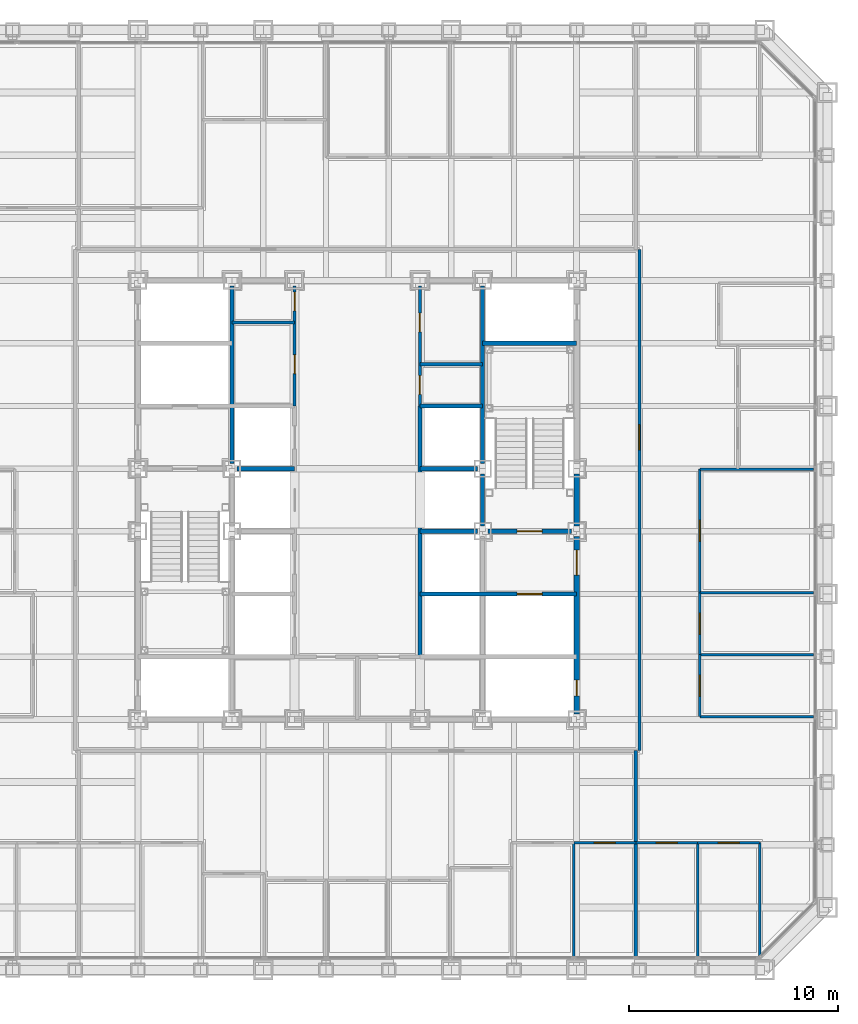
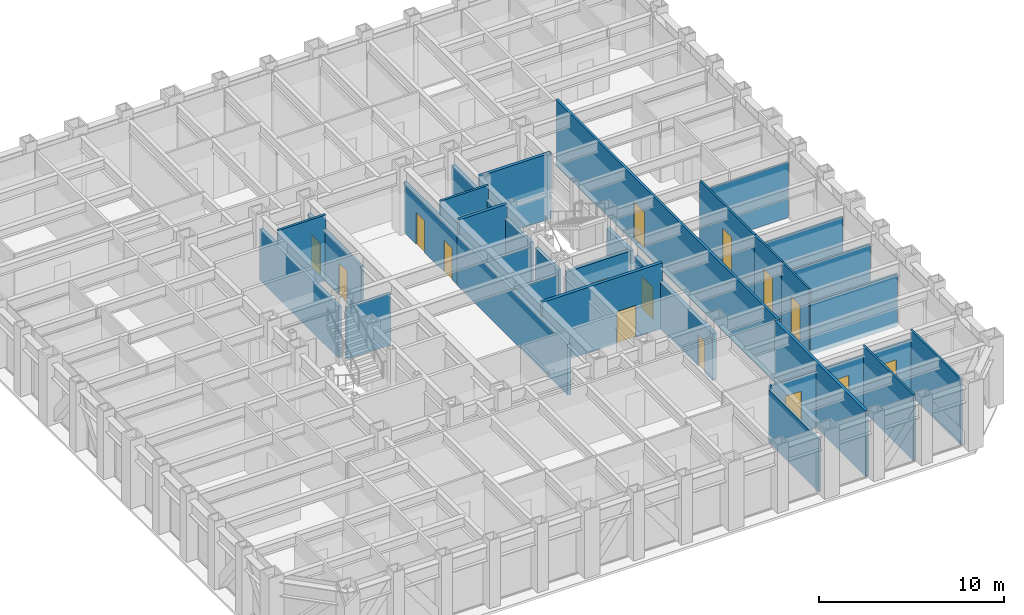
# One storey, part 10 of 16: 32 walls, 15 doors, 15 openings.
"""IFC4 building model written with IfcOpenShell, lengths in metres."""

from ifc_helpers import new_model, si_unit, direction, frame, frame_2d, origin, place, context, subcontext, project, spatial, rectangle, extrude, material, layer, layer_set, type_object, element, fill, save


model = new_model("IFC4")

# Units and contexts
model_context = context("Model", 3, precision=1e-05, world=origin(), true_north=direction((0.0, 1.0)))
body_context = subcontext(model_context, "Body", "Model", "MODEL_VIEW")
ifc_project = project(units=[si_unit("LENGTHUNIT", "METRE"), si_unit("AREAUNIT", "SQUARE_METRE"), si_unit("VOLUMEUNIT", "CUBIC_METRE"), si_unit("PLANEANGLEUNIT", "RADIAN"), si_unit("MASSUNIT", "GRAM", prefix="KILO")], contexts=[model_context])

# Site, building, storey
site_placement = place(None, origin())
site = spatial("IfcSite", under=ifc_project, at=site_placement, CompositionType="ELEMENT")
building_placement = place(site_placement, origin())
building = spatial("IfcBuilding", under=site, at=building_placement, Name="Chuquiago Exchange Tower", CompositionType="ELEMENT")
storey_placement = place(building_placement, frame((0.0, 0.0, 82.800048828125)))
storey = spatial("IfcBuildingStorey", under=building, at=storey_placement, Name="L17", CompositionType="ELEMENT", Elevation=82.800048828125)

# Wall, openings, doors
ifc_material_1 = material(Name="Concrete masonry, fully grouted", Category="masonry")
ifc_layer_1 = layer(ifc_material_1, 0.25)
ifc_layer_set_1 = layer_set([ifc_layer_1], Name="W1 core wall 250")
wall_type_1 = type_object("IfcWallType", Name="W1 core wall 250", PredefinedType="SOLIDWALL", material=ifc_layer_set_1)
wall_1_placement = place(storey_placement, frame((33.0, 12.25, 0.0), z_axis=(0.0, 0.0, 1.0), x_axis=(0.0, 1.0, 0.0)))
wall_1 = element("IfcWall", 1, at=wall_1_placement, inside=storey, type_object=wall_type_1, Name="CW-L17-25-0", PredefinedType="SOLIDWALL", context=body_context, shape_type="SweptSolid", body=[
    extrude(rectangle(XDim=8.5, YDim=0.25, at=frame_2d((4.25, 0.0))), origin(), (0.0, 0.0, 1.0), 3.11279296875),
])
opening_1_placement = place(wall_1_placement, frame((6.64990234375, 0.0, 0.0)))
opening_1 = element("IfcOpeningElement", 2, at=opening_1_placement, cuts=wall_1, Name="Opening L17-004", PredefinedType="OPENING", context=body_context, shape_type="SweptSolid", body=[
    extrude(rectangle(XDim=1.199951171875, YDim=2.10009765625, at=frame_2d((0.60009765625, 1.050048828125))), frame((0.0, 0.135009765625, 0.0), z_axis=(0.0, -1.0, 0.0), x_axis=(1.0, 0.0, 0.0)), (0.0, 0.0, 1.0), 0.27001953125),
])
opening_2_placement = place(wall_1_placement, frame((0.875, 0.0, 0.0)))
opening_2 = element("IfcOpeningElement", 3, at=opening_2_placement, cuts=wall_1, Name="Opening L17-009", PredefinedType="OPENING", context=body_context, shape_type="SweptSolid", body=[
    extrude(rectangle(XDim=0.75, YDim=2.10009765625, at=frame_2d((0.375, 1.050048828125))), frame((0.0, 0.135009765625, 0.0), z_axis=(0.0, -1.0, 0.0), x_axis=(1.0, 0.0, 0.0)), (0.0, 0.0, 1.0), 0.27001953125),
])
ifc_material_2 = material(Name="Steel door, painted", Category="steel")
door_type_1 = type_object("IfcDoorType", Name="D5 firefighting lobby door 1200x2100", OperationType="SINGLE_SWING_LEFT", PredefinedType="DOOR", material=ifc_material_2)
door_1_placement = place(opening_1_placement, origin())
door_1 = element("IfcDoor", 4, at=door_1_placement, inside=storey, type_object=door_type_1, Name="Firefighting lobby 2 door", OperationType="SINGLE_SWING_RIGHT", OverallHeight=2.10009765625, OverallWidth=1.199951171875, PredefinedType="DOOR", context=body_context, shape_type="SweptSolid", body=[
    extrude(rectangle(XDim=1.199951171875, YDim=2.10009765625, at=frame_2d((0.60009765625, 1.050048828125))), frame((0.0, 0.02490234375, 0.0), z_axis=(0.0, -1.0, 0.0), x_axis=(1.0, 0.0, 0.0)), (0.0, 0.0, 1.0), 0.050048828125),
])
fill(opening_1, door_1)
ifc_material_3 = material(Name="Steel door, painted", Category="steel")
door_type_2 = type_object("IfcDoorType", Name="D6 riser access door 750x2100", OperationType="SINGLE_SWING_LEFT", PredefinedType="DOOR", material=ifc_material_3)
door_2_placement = place(opening_2_placement, frame((0.75, 0.0, 0.0), z_axis=(0.0, 0.0, 1.0), x_axis=(-1.0, 0.0, 0.0)))
door_2 = element("IfcDoor", 5, at=door_2_placement, inside=storey, type_object=door_type_2, Name="Riser RE1 door", OperationType="SINGLE_SWING_RIGHT", OverallHeight=2.10009765625, OverallWidth=0.75, PredefinedType="DOOR", context=body_context, shape_type="SweptSolid", body=[
    extrude(rectangle(XDim=0.75, YDim=2.10009765625, at=frame_2d((0.375, 1.050048828125))), frame((0.0, 0.02490234375, 0.0), z_axis=(0.0, -1.0, 0.0), x_axis=(1.0, 0.0, 0.0)), (0.0, 0.0, 1.0), 0.050048828125),
])
fill(opening_2, door_2)

# Wall
wall_2_placement = place(storey_placement, frame((33.0, 21.25, 0.0), z_axis=(0.0, 0.0, 1.0), x_axis=(0.0, 1.0, 0.0)))
element("IfcWall", 6, at=wall_2_placement, inside=storey, type_object=wall_type_1, Name="CW-L17-25-1", PredefinedType="SOLIDWALL", context=body_context, shape_type="SweptSolid", body=[
    extrude(rectangle(XDim=2.5, YDim=0.25, at=frame_2d((1.25, 0.0))), origin(), (0.0, 0.0, 1.0), 3.11279296875),
])

# Wall, opening, door
ifc_material_4 = material(Name="Gypsum board on steel studs, acoustic insulation", Category="steel")
ifc_layer_2 = layer(ifc_material_4, 0.14990234375)
ifc_layer_set_2 = layer_set([ifc_layer_2], Name="W11 corridor wall 150")
wall_type_2 = type_object("IfcWallType", Name="W11 corridor wall 150", PredefinedType="PARTITIONING", material=ifc_layer_set_2)
wall_3_placement = place(storey_placement, frame((36.0, 10.5, -0.300048828125), z_axis=(0.0, 0.0, 1.0), x_axis=(0.0, 1.0, 0.0)))
wall_3 = element("IfcWall", 7, at=wall_3_placement, inside=storey, type_object=wall_type_2, Name="PW-L17-CE", PredefinedType="PARTITIONING", context=body_context, shape_type="SweptSolid", body=[
    extrude(rectangle(XDim=24.0, YDim=0.14990234375, at=frame_2d((12.0, 0.0))), origin(), (0.0, 0.0, 1.0), 4.340087890625),
])
opening_3_placement = place(wall_3_placement, frame((14.39990234375, 0.0, 0.300048828125)))
opening_3 = element("IfcOpeningElement", 8, at=opening_3_placement, cuts=wall_3, Name="Opening L17-059", PredefinedType="OPENING", context=body_context, shape_type="SweptSolid", body=[
    extrude(rectangle(XDim=1.199951171875, YDim=2.39990234375, at=frame_2d((0.60009765625, 1.199951171875))), frame((0.0, 0.0849609375, 0.0), z_axis=(0.0, -1.0, 0.0), x_axis=(1.0, 0.0, 0.0)), (0.0, 0.0, 1.0), 0.169921875),
])
ifc_material_5 = material(Name="Timber door, laminate faced", Category="wood")
door_type_3 = type_object("IfcDoorType", Name="D13 suite entrance door 1200x2400", OperationType="SINGLE_SWING_LEFT", PredefinedType="DOOR", material=ifc_material_5)
door_3_placement = place(opening_3_placement, frame((1.199951171875, 0.0, 0.0), z_axis=(0.0, 0.0, 1.0), x_axis=(-1.0, 0.0, 0.0)))
door_3 = element("IfcDoor", 9, at=door_3_placement, inside=storey, type_object=door_type_3, Name="East suite entrance door", OperationType="SINGLE_SWING_LEFT", OverallHeight=2.39990234375, OverallWidth=1.199951171875, PredefinedType="DOOR", context=body_context, shape_type="SweptSolid", body=[
    extrude(rectangle(XDim=1.199951171875, YDim=2.39990234375, at=frame_2d((0.60009765625, 1.199951171875))), frame((0.0, 0.02490234375, 0.0), z_axis=(0.0, -1.0, 0.0), x_axis=(1.0, 0.0, 0.0)), (0.0, 0.0, 1.0), 0.050048828125),
])
fill(opening_3, door_3)

# Walls
ifc_material_6 = material(Name="Gypsum board on twin steel studs, acoustic insulation", Category="steel")
ifc_layer_3 = layer(ifc_material_6, 0.175048828125)
ifc_layer_set_3 = layer_set([ifc_layer_3], Name="W12 tenant demising wall 175")
wall_type_3 = type_object("IfcWallType", Name="W12 tenant demising wall 175", PredefinedType="PARTITIONING", material=ifc_layer_set_3)
wall_4_placement = place(storey_placement, frame((35.827880859375, 0.657470703125, -0.300048828125), z_axis=(0.0, 0.0, 1.0), x_axis=(0.0, 1.0, 0.0)))
element("IfcWall", 10, at=wall_4_placement, inside=storey, type_object=wall_type_3, Name="PW-L17-DS03583", PredefinedType="PARTITIONING", context=body_context, shape_type="SweptSolid", body=[
    extrude(rectangle(XDim=9.842529296875, YDim=0.175048828125, at=frame_2d((4.92138671875, 0.0))), origin(), (0.0, 0.0, 1.0), 4.340087890625),
])
ifc_material_7 = material(Name="Concrete masonry, fully grouted", Category="masonry")
ifc_layer_4 = layer(ifc_material_7, 0.199951171875)
ifc_layer_set_4 = layer_set([ifc_layer_4], Name="W2 shaft wall 200")
wall_type_4 = type_object("IfcWallType", Name="W2 shaft wall 200", PredefinedType="SOLIDWALL", material=ifc_layer_set_4)
for number, where, z_axis, x_axis, name in (
    (11, (16.75, 24.0, 0.0), (0.0, 0.0, 1.0), (1.0, 0.0, 0.0), "CW-L17-05-1"),
    (12, (25.5, 24.0, 0.0), (0.0, 0.0, 1.0), (1.0, 0.0, 0.0), "CW-L17-06-0"),
):
    element("IfcWall", number, at=place(storey_placement, frame(where, z_axis=z_axis, x_axis=x_axis)), inside=storey, type_object=wall_type_4, Name=name, PredefinedType="SOLIDWALL", context=body_context, shape_type="SweptSolid", body=[
        extrude(rectangle(XDim=2.75, YDim=0.199951171875, at=frame_2d((1.375, 0.0))), origin(), (0.0, 0.0, 1.0), 3.389892578125),
    ])
wall_5_placement = place(storey_placement, frame((25.5, 27.0, 0.0), z_axis=(0.0, 0.0, 1.0), x_axis=(1.0, 0.0, 0.0)))
element("IfcWall", 13, at=wall_5_placement, inside=storey, type_object=wall_type_4, Name="CW-L17-08-0", PredefinedType="SOLIDWALL", context=body_context, shape_type="SweptSolid", body=[
    extrude(rectangle(XDim=3.0, YDim=0.199951171875, at=frame_2d((1.5, 0.0))), origin(), (0.0, 0.0, 1.0), 4.33984375),
])
wall_6_placement = place(storey_placement, frame((28.5, 30.0, 0.0), z_axis=(0.0, 0.0, 1.0), x_axis=(1.0, 0.0, 0.0)))
element("IfcWall", 14, at=wall_6_placement, inside=storey, type_object=wall_type_4, Name="CW-L17-10-0", PredefinedType="SOLIDWALL", context=body_context, shape_type="SweptSolid", body=[
    extrude(rectangle(XDim=4.5, YDim=0.199951171875, at=frame_2d((2.25, 0.0))), origin(), (0.0, 0.0, 1.0), 4.33984375),
])
wall_7_placement = place(storey_placement, frame((16.5, 24.25, 0.0), z_axis=(0.0, 0.0, 1.0), x_axis=(0.0, 1.0, 0.0)))
element("IfcWall", 15, at=wall_7_placement, inside=storey, type_object=wall_type_4, Name="CW-L17-13-2", PredefinedType="SOLIDWALL", context=body_context, shape_type="SweptSolid", body=[
    extrude(rectangle(XDim=8.5, YDim=0.199951171875, at=frame_2d((4.25, 0.0))), origin(), (0.0, 0.0, 1.0), 3.412841796875),
])

# Wall, opening, door
wall_8_placement = place(storey_placement, frame((25.5, 18.0, 0.0), z_axis=(0.0, 0.0, 1.0), x_axis=(1.0, 0.0, 0.0)))
wall_8 = element("IfcWall", 16, at=wall_8_placement, inside=storey, type_object=wall_type_4, Name="CW-L17-15-0", PredefinedType="SOLIDWALL", context=body_context, shape_type="SweptSolid", body=[
    extrude(rectangle(XDim=7.5, YDim=0.199951171875, at=frame_2d((3.75, 0.0))), origin(), (0.0, 0.0, 1.0), 4.33984375),
])
opening_4_placement = place(wall_8_placement, frame((4.64990234375, 0.0, 0.0)))
opening_4 = element("IfcOpeningElement", 17, at=opening_4_placement, cuts=wall_8, Name="Opening L17-006", PredefinedType="OPENING", context=body_context, shape_type="SweptSolid", body=[
    extrude(rectangle(XDim=1.199951171875, YDim=2.10009765625, at=frame_2d((0.60009765625, 1.050048828125))), frame((0.0, 0.10986328125, 0.0), z_axis=(0.0, -1.0, 0.0), x_axis=(1.0, 0.0, 0.0)), (0.0, 0.0, 1.0), 0.219970703125),
])
ifc_material_8 = material(Name="Stainless steel lift landing door", Category="steel")
door_type_4 = type_object("IfcDoorType", Name="LD2 firefighting lift landing door 1200x2100", OperationType="DOUBLE_DOOR_SLIDING", PredefinedType="DOOR", material=ifc_material_8)
door_4_placement = place(opening_4_placement, origin())
door_4 = element("IfcDoor", 18, at=door_4_placement, inside=storey, type_object=door_type_4, Name="Firefighting lift FL2 landing door", OperationType="DOUBLE_DOOR_SLIDING", OverallHeight=2.10009765625, OverallWidth=1.199951171875, PredefinedType="DOOR", context=body_context, shape_type="SweptSolid", body=[
    extrude(rectangle(XDim=1.199951171875, YDim=2.10009765625, at=frame_2d((0.60009765625, 1.050048828125))), frame((0.0, 0.02490234375, 0.0), z_axis=(0.0, -1.0, 0.0), x_axis=(1.0, 0.0, 0.0)), (0.0, 0.0, 1.0), 0.050048828125),
])
fill(opening_4, door_4)

# Wall
wall_9_placement = place(storey_placement, frame((25.5, 21.0, 0.0), z_axis=(0.0, 0.0, 1.0), x_axis=(1.0, 0.0, 0.0)))
element("IfcWall", 19, at=wall_9_placement, inside=storey, type_object=wall_type_4, Name="CW-L17-17-0", PredefinedType="SOLIDWALL", context=body_context, shape_type="SweptSolid", body=[
    extrude(rectangle(XDim=2.75, YDim=0.199951171875, at=frame_2d((1.375, 0.0))), origin(), (0.0, 0.0, 1.0), 3.389892578125),
])

# Wall, opening, door
wall_10_placement = place(storey_placement, frame((28.75, 21.0, 0.0), z_axis=(0.0, 0.0, 1.0), x_axis=(1.0, 0.0, 0.0)))
wall_10 = element("IfcWall", 20, at=wall_10_placement, inside=storey, type_object=wall_type_4, Name="CW-L17-17-1", PredefinedType="SOLIDWALL", context=body_context, shape_type="SweptSolid", body=[
    extrude(rectangle(XDim=4.0, YDim=0.199951171875, at=frame_2d((2.0, 0.0))), origin(), (0.0, 0.0, 1.0), 3.389892578125),
])
opening_5_placement = place(wall_10_placement, frame((1.39990234375, 0.0, 0.0)))
opening_5 = element("IfcOpeningElement", 21, at=opening_5_placement, cuts=wall_10, Name="Opening L17-003", PredefinedType="OPENING", context=body_context, shape_type="SweptSolid", body=[
    extrude(rectangle(XDim=1.199951171875, YDim=2.10009765625, at=frame_2d((0.60009765625, 1.050048828125))), frame((0.0, 0.10986328125, 0.0), z_axis=(0.0, -1.0, 0.0), x_axis=(1.0, 0.0, 0.0)), (0.0, 0.0, 1.0), 0.219970703125),
])
ifc_material_9 = material(Name="Steel door, painted", Category="steel")
door_type_5 = type_object("IfcDoorType", Name="D4 stair door 1200x2100", OperationType="SINGLE_SWING_LEFT", PredefinedType="DOOR", material=ifc_material_9)
door_5_placement = place(opening_5_placement, origin())
door_5 = element("IfcDoor", 22, at=door_5_placement, inside=storey, type_object=door_type_5, Name="Stair ST2 door", OperationType="SINGLE_SWING_LEFT", OverallHeight=2.10009765625, OverallWidth=1.199951171875, PredefinedType="DOOR", context=body_context, shape_type="SweptSolid", body=[
    extrude(rectangle(XDim=1.199951171875, YDim=2.10009765625, at=frame_2d((0.60009765625, 1.050048828125))), frame((0.0, 0.02490234375, 0.0), z_axis=(0.0, -1.0, 0.0), x_axis=(1.0, 0.0, 0.0)), (0.0, 0.0, 1.0), 0.050048828125),
])
fill(opening_5, door_5)

# Walls
wall_11_placement = place(storey_placement, frame((25.5, 15.0, 0.0), z_axis=(0.0, 0.0, 1.0), x_axis=(0.0, 1.0, 0.0)))
element("IfcWall", 23, at=wall_11_placement, inside=storey, type_object=wall_type_4, Name="CW-L17-22-0", PredefinedType="SOLIDWALL", context=body_context, shape_type="SweptSolid", body=[
    extrude(rectangle(XDim=12.0, YDim=0.199951171875, at=frame_2d((6.0, 0.0))), origin(), (0.0, 0.0, 1.0), 3.364501953125),
])
wall_12_placement = place(storey_placement, frame((28.5, 21.25, 0.0), z_axis=(0.0, 0.0, 1.0), x_axis=(0.0, 1.0, 0.0)))
element("IfcWall", 24, at=wall_12_placement, inside=storey, type_object=wall_type_4, Name="CW-L17-24-1", PredefinedType="SOLIDWALL", context=body_context, shape_type="SweptSolid", body=[
    extrude(rectangle(XDim=2.5, YDim=0.199951171875, at=frame_2d((1.25, 0.0))), origin(), (0.0, 0.0, 1.0), 3.412841796875),
])
wall_13_placement = place(storey_placement, frame((28.5, 24.25, 0.0), z_axis=(0.0, 0.0, 1.0), x_axis=(0.0, 1.0, 0.0)))
element("IfcWall", 25, at=wall_13_placement, inside=storey, type_object=wall_type_4, Name="CW-L17-24-2", PredefinedType="SOLIDWALL", context=body_context, shape_type="SweptSolid", body=[
    extrude(rectangle(XDim=8.5, YDim=0.199951171875, at=frame_2d((4.25, 0.0))), origin(), (0.0, 0.0, 1.0), 3.412841796875),
])

# Wall, openings, doors
ifc_material_10 = material(Name="Gypsum board on steel studs", Category="steel")
ifc_layer_5 = layer(ifc_material_10, 0.14990234375)
ifc_layer_set_5 = layer_set([ifc_layer_5], Name="W3 core partition 150")
wall_type_5 = type_object("IfcWallType", Name="W3 core partition 150", PredefinedType="PARTITIONING", material=ifc_layer_set_5)
wall_14_placement = place(storey_placement, frame((19.5, 27.0, 0.0), z_axis=(0.0, 0.0, 1.0), x_axis=(0.0, 1.0, 0.0)))
wall_14 = element("IfcWall", 26, at=wall_14_placement, inside=storey, type_object=wall_type_5, Name="CW-L17-20-0", PredefinedType="PARTITIONING", context=body_context, shape_type="SweptSolid", body=[
    extrude(rectangle(XDim=5.75, YDim=0.14990234375, at=frame_2d((2.875, 0.0))), origin(), (0.0, 0.0, 1.0), 3.364501953125),
])
opening_6_placement = place(wall_14_placement, frame((1.550048828125, 0.0, 0.0)))
opening_6 = element("IfcOpeningElement", 27, at=opening_6_placement, cuts=wall_14, Name="Opening L17-011", PredefinedType="OPENING", context=body_context, shape_type="SweptSolid", body=[
    extrude(rectangle(XDim=0.89990234375, YDim=2.10009765625, at=frame_2d((0.449951171875, 1.050048828125))), frame((0.0, 0.0849609375, 0.0), z_axis=(0.0, -1.0, 0.0), x_axis=(1.0, 0.0, 0.0)), (0.0, 0.0, 1.0), 0.169921875),
])
opening_7_placement = place(wall_14_placement, frame((4.550048828125, 0.0, 0.0)))
opening_7 = element("IfcOpeningElement", 28, at=opening_7_placement, cuts=wall_14, Name="Opening L17-012", PredefinedType="OPENING", context=body_context, shape_type="SweptSolid", body=[
    extrude(rectangle(XDim=0.89990234375, YDim=2.10009765625, at=frame_2d((0.449951171875, 1.050048828125))), frame((0.0, 0.0849609375, 0.0), z_axis=(0.0, -1.0, 0.0), x_axis=(1.0, 0.0, 0.0)), (0.0, 0.0, 1.0), 0.169921875),
])
ifc_material_11 = material(Name="Timber door, laminate faced", Category="wood")
door_type_6 = type_object("IfcDoorType", Name="D16 core room door 900x2100", OperationType="SINGLE_SWING_LEFT", PredefinedType="DOOR", material=ifc_material_11)
door_6_placement = place(opening_7_placement, origin())
door_6 = element("IfcDoor", 29, at=door_6_placement, inside=storey, type_object=door_type_6, Name="Staff shower room door", OperationType="SINGLE_SWING_RIGHT", OverallHeight=2.10009765625, OverallWidth=0.89990234375, PredefinedType="DOOR", context=body_context, shape_type="SweptSolid", body=[
    extrude(rectangle(XDim=0.89990234375, YDim=2.10009765625, at=frame_2d((0.449951171875, 1.050048828125))), frame((0.0, 0.02490234375, 0.0), z_axis=(0.0, -1.0, 0.0), x_axis=(1.0, 0.0, 0.0)), (0.0, 0.0, 1.0), 0.050048828125),
])
fill(opening_7, door_6)
ifc_material_12 = material(Name="Timber door, laminate faced", Category="wood")
door_type_7 = type_object("IfcDoorType", Name="D7 toilet door 900x2100", OperationType="SINGLE_SWING_LEFT", PredefinedType="DOOR", material=ifc_material_12)
door_7_placement = place(opening_6_placement, origin())
door_7 = element("IfcDoor", 30, at=door_7_placement, inside=storey, type_object=door_type_7, Name="Male WC door", OperationType="SINGLE_SWING_LEFT", OverallHeight=2.10009765625, OverallWidth=0.89990234375, PredefinedType="DOOR", context=body_context, shape_type="SweptSolid", body=[
    extrude(rectangle(XDim=0.89990234375, YDim=2.10009765625, at=frame_2d((0.449951171875, 1.050048828125))), frame((0.0, 0.02490234375, 0.0), z_axis=(0.0, -1.0, 0.0), x_axis=(1.0, 0.0, 0.0)), (0.0, 0.0, 1.0), 0.050048828125),
])
fill(opening_6, door_7)

wall_15_placement = place(storey_placement, frame((25.5, 27.0, 0.0), z_axis=(0.0, 0.0, 1.0), x_axis=(0.0, 1.0, 0.0)))
wall_15 = element("IfcWall", 31, at=wall_15_placement, inside=storey, type_object=wall_type_5, Name="CW-L17-23-0", PredefinedType="PARTITIONING", context=body_context, shape_type="SweptSolid", body=[
    extrude(rectangle(XDim=5.75, YDim=0.14990234375, at=frame_2d((2.875, 0.0))), origin(), (0.0, 0.0, 1.0), 3.364501953125),
])
opening_8_placement = place(wall_15_placement, frame((0.550048828125, 0.0, 0.0)))
opening_8 = element("IfcOpeningElement", 32, at=opening_8_placement, cuts=wall_15, Name="Opening L17-013", PredefinedType="OPENING", context=body_context, shape_type="SweptSolid", body=[
    extrude(rectangle(XDim=0.89990234375, YDim=2.10009765625, at=frame_2d((0.449951171875, 1.050048828125))), frame((0.0, 0.0849609375, 0.0), z_axis=(0.0, -1.0, 0.0), x_axis=(1.0, 0.0, 0.0)), (0.0, 0.0, 1.0), 0.169921875),
])
opening_9_placement = place(wall_15_placement, frame((3.550048828125, 0.0, 0.0)))
opening_9 = element("IfcOpeningElement", 33, at=opening_9_placement, cuts=wall_15, Name="Opening L17-014", PredefinedType="OPENING", context=body_context, shape_type="SweptSolid", body=[
    extrude(rectangle(XDim=0.89990234375, YDim=2.10009765625, at=frame_2d((0.449951171875, 1.050048828125))), frame((0.0, 0.0849609375, 0.0), z_axis=(0.0, -1.0, 0.0), x_axis=(1.0, 0.0, 0.0)), (0.0, 0.0, 1.0), 0.169921875),
])
door_8_placement = place(opening_8_placement, frame((0.89990234375, 0.0, 0.0), z_axis=(0.0, 0.0, 1.0), x_axis=(-1.0, 0.0, 0.0)))
door_8 = element("IfcDoor", 34, at=door_8_placement, inside=storey, type_object=door_type_6, Name="First aid room door", OperationType="SINGLE_SWING_RIGHT", OverallHeight=2.10009765625, OverallWidth=0.89990234375, PredefinedType="DOOR", context=body_context, shape_type="SweptSolid", body=[
    extrude(rectangle(XDim=0.89990234375, YDim=2.10009765625, at=frame_2d((0.449951171875, 1.050048828125))), frame((0.0, 0.02490234375, 0.0), z_axis=(0.0, -1.0, 0.0), x_axis=(1.0, 0.0, 0.0)), (0.0, 0.0, 1.0), 0.050048828125),
])
fill(opening_8, door_8)
door_9_placement = place(opening_9_placement, frame((0.89990234375, 0.0, 0.0), z_axis=(0.0, 0.0, 1.0), x_axis=(-1.0, 0.0, 0.0)))
door_9 = element("IfcDoor", 35, at=door_9_placement, inside=storey, type_object=door_type_7, Name="Female WC door", OperationType="SINGLE_SWING_LEFT", OverallHeight=2.10009765625, OverallWidth=0.89990234375, PredefinedType="DOOR", context=body_context, shape_type="SweptSolid", body=[
    extrude(rectangle(XDim=0.89990234375, YDim=2.10009765625, at=frame_2d((0.449951171875, 1.050048828125))), frame((0.0, 0.02490234375, 0.0), z_axis=(0.0, -1.0, 0.0), x_axis=(1.0, 0.0, 0.0)), (0.0, 0.0, 1.0), 0.050048828125),
])
fill(opening_9, door_9)

# Walls
for number, where, z_axis, x_axis, name in (
    (36, (16.5, 31.0, 0.0), (0.0, 0.0, 1.0), (1.0, 0.0, 0.0), "CW-L17-WCMS"),
    (37, (25.5, 29.0, 0.0), (0.0, 0.0, 1.0), (1.0, 0.0, 0.0), "CW-L17-WCFS"),
):
    element("IfcWall", number, at=place(storey_placement, frame(where, z_axis=z_axis, x_axis=x_axis)), inside=storey, type_object=wall_type_5, Name=name, PredefinedType="PARTITIONING", context=body_context, shape_type="SweptSolid", body=[
        extrude(rectangle(XDim=3.0, YDim=0.14990234375, at=frame_2d((1.5, 0.0))), origin(), (0.0, 0.0, 1.0), 4.33984375),
    ])
ifc_material_13 = material(Name="Gypsum board on steel studs", Category="steel")
ifc_layer_6 = layer(ifc_material_13, 0.1201171875)
ifc_layer_set_6 = layer_set([ifc_layer_6], Name="W4 partition 120")
wall_type_6 = type_object("IfcWallType", Name="W4 partition 120", PredefinedType="PARTITIONING", material=ifc_layer_set_6)
wall_16_placement = place(storey_placement, frame((32.8662109375, 0.657470703125, -0.300048828125), z_axis=(0.0, 0.0, 1.0), x_axis=(0.0, 1.0, 0.0)))
element("IfcWall", 38, at=wall_16_placement, inside=storey, type_object=wall_type_6, Name="PW-L17-S03287", PredefinedType="PARTITIONING", context=body_context, shape_type="SweptSolid", body=[
    extrude(rectangle(XDim=5.442626953125, YDim=0.1201171875, at=frame_2d((2.72119140625, 0.0))), origin(), (0.0, 0.0, 1.0), 3.4814453125),
])
wall_17_placement = place(storey_placement, frame((38.789794921875, 0.657470703125, -0.300048828125), z_axis=(0.0, 0.0, 1.0), x_axis=(0.0, 1.0, 0.0)))
element("IfcWall", 39, at=wall_17_placement, inside=storey, type_object=wall_type_6, Name="PW-L17-S03879", PredefinedType="PARTITIONING", context=body_context, shape_type="SweptSolid", body=[
    extrude(rectangle(XDim=5.442626953125, YDim=0.1201171875, at=frame_2d((2.72119140625, 0.0))), origin(), (0.0, 0.0, 1.0), 4.340087890625),
])
wall_18_placement = place(storey_placement, frame((41.75146484375, 0.666015625, -0.300048828125), z_axis=(0.0, 0.0, 1.0), x_axis=(0.0, 1.0, 0.0)))
element("IfcWall", 40, at=wall_18_placement, inside=storey, type_object=wall_type_6, Name="PW-L17-S04175", PredefinedType="PARTITIONING", context=body_context, shape_type="SweptSolid", body=[
    extrude(rectangle(XDim=5.43408203125, YDim=0.1201171875, at=frame_2d((2.717041015625, 0.0))), origin(), (0.0, 0.0, 1.0), 4.340087890625),
])

# Wall, opening, door
wall_19_placement = place(storey_placement, frame((32.8662109375, 6.10009765625, -0.300048828125), z_axis=(0.0, 0.0, 1.0), x_axis=(1.0, 0.0, 0.0)))
wall_19 = element("IfcWall", 41, at=wall_19_placement, inside=storey, type_object=wall_type_6, Name="PW-L17-SF03287", PredefinedType="PARTITIONING", context=body_context, shape_type="SweptSolid", body=[
    extrude(rectangle(XDim=2.961669921875, YDim=0.1201171875, at=frame_2d((1.48095703125, 0.0))), origin(), (0.0, 0.0, 1.0), 3.722900390625),
])
opening_10_placement = place(wall_19_placement, frame((0.98095703125, 0.0, 0.300048828125)))
opening_10 = element("IfcOpeningElement", 42, at=opening_10_placement, cuts=wall_19, Name="Opening L17-031", PredefinedType="OPENING", context=body_context, shape_type="SweptSolid", body=[
    extrude(rectangle(XDim=1.0, YDim=2.39990234375, at=frame_2d((0.5, 1.199951171875))), frame((0.0, 0.070068359375, 0.0), z_axis=(0.0, -1.0, 0.0), x_axis=(1.0, 0.0, 0.0)), (0.0, 0.0, 1.0), 0.14013671875),
])
ifc_material_14 = material(Name="Timber frame door, full height glazed panel", Category="wood")
door_type_8 = type_object("IfcDoorType", Name="D14 glazed meeting room door 1000x2400", OperationType="SINGLE_SWING_LEFT", PredefinedType="DOOR", material=ifc_material_14)
door_10_placement = place(opening_10_placement, frame((1.0, 0.0, 0.0), z_axis=(0.0, 0.0, 1.0), x_axis=(-1.0, 0.0, 0.0)))
door_10 = element("IfcDoor", 43, at=door_10_placement, inside=storey, type_object=door_type_8, Name="Meeting room door", OperationType="SINGLE_SWING_LEFT", OverallHeight=2.39990234375, OverallWidth=1.0, PredefinedType="DOOR", context=body_context, shape_type="SweptSolid", body=[
    extrude(rectangle(XDim=1.0, YDim=2.39990234375, at=frame_2d((0.5, 1.199951171875))), frame((0.0, 0.02490234375, 0.0), z_axis=(0.0, -1.0, 0.0), x_axis=(1.0, 0.0, 0.0)), (0.0, 0.0, 1.0), 0.050048828125),
])
fill(opening_10, door_10)

wall_20_placement = place(storey_placement, frame((35.827880859375, 6.10009765625, -0.300048828125), z_axis=(0.0, 0.0, 1.0), x_axis=(1.0, 0.0, 0.0)))
wall_20 = element("IfcWall", 44, at=wall_20_placement, inside=storey, type_object=wall_type_6, Name="PW-L17-SF03583", PredefinedType="PARTITIONING", context=body_context, shape_type="SweptSolid", body=[
    extrude(rectangle(XDim=2.9619140625, YDim=0.1201171875, at=frame_2d((1.48095703125, 0.0))), origin(), (0.0, 0.0, 1.0), 3.722900390625),
])
opening_11_placement = place(wall_20_placement, frame((0.98095703125, 0.0, 0.300048828125)))
opening_11 = element("IfcOpeningElement", 45, at=opening_11_placement, cuts=wall_20, Name="Opening L17-032", PredefinedType="OPENING", context=body_context, shape_type="SweptSolid", body=[
    extrude(rectangle(XDim=1.0, YDim=2.39990234375, at=frame_2d((0.5, 1.199951171875))), frame((0.0, 0.070068359375, 0.0), z_axis=(0.0, -1.0, 0.0), x_axis=(1.0, 0.0, 0.0)), (0.0, 0.0, 1.0), 0.14013671875),
])
ifc_material_15 = material(Name="Timber door, laminate faced", Category="wood")
door_type_9 = type_object("IfcDoorType", Name="D9 room door 1000x2400", OperationType="SINGLE_SWING_LEFT", PredefinedType="DOOR", material=ifc_material_15)
door_11_placement = place(opening_11_placement, frame((1.0, 0.0, 0.0), z_axis=(0.0, 0.0, 1.0), x_axis=(-1.0, 0.0, 0.0)))
door_11 = element("IfcDoor", 46, at=door_11_placement, inside=storey, type_object=door_type_9, Name="Office door", OperationType="SINGLE_SWING_RIGHT", OverallHeight=2.39990234375, OverallWidth=1.0, PredefinedType="DOOR", context=body_context, shape_type="SweptSolid", body=[
    extrude(rectangle(XDim=1.0, YDim=2.39990234375, at=frame_2d((0.5, 1.199951171875))), frame((0.0, 0.02490234375, 0.0), z_axis=(0.0, -1.0, 0.0), x_axis=(1.0, 0.0, 0.0)), (0.0, 0.0, 1.0), 0.050048828125),
])
fill(opening_11, door_11)

wall_21_placement = place(storey_placement, frame((38.789794921875, 6.10009765625, -0.300048828125), z_axis=(0.0, 0.0, 1.0), x_axis=(1.0, 0.0, 0.0)))
wall_21 = element("IfcWall", 47, at=wall_21_placement, inside=storey, type_object=wall_type_6, Name="PW-L17-SF03879", PredefinedType="PARTITIONING", context=body_context, shape_type="SweptSolid", body=[
    extrude(rectangle(XDim=2.961669921875, YDim=0.1201171875, at=frame_2d((1.48095703125, 0.0))), origin(), (0.0, 0.0, 1.0), 3.722900390625),
])
opening_12_placement = place(wall_21_placement, frame((0.98095703125, 0.0, 0.300048828125)))
opening_12 = element("IfcOpeningElement", 48, at=opening_12_placement, cuts=wall_21, Name="Opening L17-033", PredefinedType="OPENING", context=body_context, shape_type="SweptSolid", body=[
    extrude(rectangle(XDim=1.0, YDim=2.39990234375, at=frame_2d((0.5, 1.199951171875))), frame((0.0, 0.070068359375, 0.0), z_axis=(0.0, -1.0, 0.0), x_axis=(1.0, 0.0, 0.0)), (0.0, 0.0, 1.0), 0.14013671875),
])
door_12_placement = place(opening_12_placement, frame((1.0, 0.0, 0.0), z_axis=(0.0, 0.0, 1.0), x_axis=(-1.0, 0.0, 0.0)))
door_12 = element("IfcDoor", 49, at=door_12_placement, inside=storey, type_object=door_type_9, Name="Office door", OperationType="SINGLE_SWING_LEFT", OverallHeight=2.39990234375, OverallWidth=1.0, PredefinedType="DOOR", context=body_context, shape_type="SweptSolid", body=[
    extrude(rectangle(XDim=1.0, YDim=2.39990234375, at=frame_2d((0.5, 1.199951171875))), frame((0.0, 0.02490234375, 0.0), z_axis=(0.0, -1.0, 0.0), x_axis=(1.0, 0.0, 0.0)), (0.0, 0.0, 1.0), 0.050048828125),
])
fill(opening_12, door_12)

# Walls
wall_22_placement = place(storey_placement, frame((44.342529296875, 12.1337890625, -0.300048828125), z_axis=(0.0, 0.0, 1.0), x_axis=(-1.0, 0.0, 0.0)))
element("IfcWall", 50, at=wall_22_placement, inside=storey, type_object=wall_type_6, Name="PW-L17-E01213", PredefinedType="PARTITIONING", context=body_context, shape_type="SweptSolid", body=[
    extrude(rectangle(XDim=5.442626953125, YDim=0.1201171875, at=frame_2d((2.72119140625, 0.0))), origin(), (0.0, 0.0, 1.0), 3.4814453125),
])
for number, where, z_axis, x_axis, name in (
    (51, (44.342529296875, 15.095703125, -0.300048828125), (0.0, 0.0, 1.0), (-1.0, 0.0, 0.0), "PW-L17-E01510"),
    (52, (44.342529296875, 18.057373046875, -0.300048828125), (0.0, 0.0, 1.0), (-1.0, 0.0, 0.0), "PW-L17-E01806"),
    (53, (44.342529296875, 23.98095703125, -0.300048828125), (0.0, 0.0, 1.0), (-1.0, 0.0, 0.0), "PW-L17-E02398"),
):
    element("IfcWall", number, at=place(storey_placement, frame(where, z_axis=z_axis, x_axis=x_axis)), inside=storey, type_object=wall_type_6, Name=name, PredefinedType="PARTITIONING", context=body_context, shape_type="SweptSolid", body=[
        extrude(rectangle(XDim=5.442626953125, YDim=0.1201171875, at=frame_2d((2.72119140625, 0.0))), origin(), (0.0, 0.0, 1.0), 3.646484375),
    ])

# Wall, opening, door
wall_23_placement = place(storey_placement, frame((38.89990234375, 12.1337890625, -0.300048828125), z_axis=(0.0, 0.0, 1.0), x_axis=(0.0, 1.0, 0.0)))
wall_23 = element("IfcWall", 54, at=wall_23_placement, inside=storey, type_object=wall_type_6, Name="PW-L17-EF01213", PredefinedType="PARTITIONING", context=body_context, shape_type="SweptSolid", body=[
    extrude(rectangle(XDim=2.9619140625, YDim=0.1201171875, at=frame_2d((1.48095703125, 0.0))), origin(), (0.0, 0.0, 1.0), 4.340087890625),
])
opening_13_placement = place(wall_23_placement, frame((0.98095703125, 0.0, 0.300048828125)))
opening_13 = element("IfcOpeningElement", 55, at=opening_13_placement, cuts=wall_23, Name="Opening L17-034", PredefinedType="OPENING", context=body_context, shape_type="SweptSolid", body=[
    extrude(rectangle(XDim=1.0, YDim=2.39990234375, at=frame_2d((0.5, 1.199951171875))), frame((0.0, 0.070068359375, 0.0), z_axis=(0.0, -1.0, 0.0), x_axis=(1.0, 0.0, 0.0)), (0.0, 0.0, 1.0), 0.14013671875),
])
door_13_placement = place(opening_13_placement, frame((1.0, 0.0, 0.0), z_axis=(0.0, 0.0, 1.0), x_axis=(-1.0, 0.0, 0.0)))
door_13 = element("IfcDoor", 56, at=door_13_placement, inside=storey, type_object=door_type_9, Name="Office door", OperationType="SINGLE_SWING_LEFT", OverallHeight=2.39990234375, OverallWidth=1.0, PredefinedType="DOOR", context=body_context, shape_type="SweptSolid", body=[
    extrude(rectangle(XDim=1.0, YDim=2.39990234375, at=frame_2d((0.5, 1.199951171875))), frame((0.0, 0.02490234375, 0.0), z_axis=(0.0, -1.0, 0.0), x_axis=(1.0, 0.0, 0.0)), (0.0, 0.0, 1.0), 0.050048828125),
])
fill(opening_13, door_13)

wall_24_placement = place(storey_placement, frame((38.89990234375, 15.095703125, -0.300048828125), z_axis=(0.0, 0.0, 1.0), x_axis=(0.0, 1.0, 0.0)))
wall_24 = element("IfcWall", 57, at=wall_24_placement, inside=storey, type_object=wall_type_6, Name="PW-L17-EF01510", PredefinedType="PARTITIONING", context=body_context, shape_type="SweptSolid", body=[
    extrude(rectangle(XDim=2.961669921875, YDim=0.1201171875, at=frame_2d((1.48095703125, 0.0))), origin(), (0.0, 0.0, 1.0), 4.340087890625),
])
opening_14_placement = place(wall_24_placement, frame((0.98095703125, 0.0, 0.300048828125)))
opening_14 = element("IfcOpeningElement", 58, at=opening_14_placement, cuts=wall_24, Name="Opening L17-035", PredefinedType="OPENING", context=body_context, shape_type="SweptSolid", body=[
    extrude(rectangle(XDim=1.0, YDim=2.39990234375, at=frame_2d((0.5, 1.199951171875))), frame((0.0, 0.070068359375, 0.0), z_axis=(0.0, -1.0, 0.0), x_axis=(1.0, 0.0, 0.0)), (0.0, 0.0, 1.0), 0.14013671875),
])
door_14_placement = place(opening_14_placement, frame((1.0, 0.0, 0.0), z_axis=(0.0, 0.0, 1.0), x_axis=(-1.0, 0.0, 0.0)))
door_14 = element("IfcDoor", 59, at=door_14_placement, inside=storey, type_object=door_type_9, Name="Office door", OperationType="SINGLE_SWING_RIGHT", OverallHeight=2.39990234375, OverallWidth=1.0, PredefinedType="DOOR", context=body_context, shape_type="SweptSolid", body=[
    extrude(rectangle(XDim=1.0, YDim=2.39990234375, at=frame_2d((0.5, 1.199951171875))), frame((0.0, 0.02490234375, 0.0), z_axis=(0.0, -1.0, 0.0), x_axis=(1.0, 0.0, 0.0)), (0.0, 0.0, 1.0), 0.050048828125),
])
fill(opening_14, door_14)

wall_25_placement = place(storey_placement, frame((38.89990234375, 18.057373046875, -0.300048828125), z_axis=(0.0, 0.0, 1.0), x_axis=(0.0, 1.0, 0.0)))
wall_25 = element("IfcWall", 60, at=wall_25_placement, inside=storey, type_object=wall_type_6, Name="PW-L17-EF01806", PredefinedType="PARTITIONING", context=body_context, shape_type="SweptSolid", body=[
    extrude(rectangle(XDim=5.923583984375, YDim=0.1201171875, at=frame_2d((2.9619140625, 0.0))), origin(), (0.0, 0.0, 1.0), 4.340087890625),
])
opening_15_placement = place(wall_25_placement, frame((2.461669921875, 0.0, 0.300048828125)))
opening_15 = element("IfcOpeningElement", 61, at=opening_15_placement, cuts=wall_25, Name="Opening L17-036", PredefinedType="OPENING", context=body_context, shape_type="SweptSolid", body=[
    extrude(rectangle(XDim=1.0, YDim=2.39990234375, at=frame_2d((0.5, 1.199951171875))), frame((0.0, 0.070068359375, 0.0), z_axis=(0.0, -1.0, 0.0), x_axis=(1.0, 0.0, 0.0)), (0.0, 0.0, 1.0), 0.14013671875),
])
door_15_placement = place(opening_15_placement, frame((1.0, 0.0, 0.0), z_axis=(0.0, 0.0, 1.0), x_axis=(-1.0, 0.0, 0.0)))
door_15 = element("IfcDoor", 62, at=door_15_placement, inside=storey, type_object=door_type_8, Name="Meeting room door", OperationType="SINGLE_SWING_RIGHT", OverallHeight=2.39990234375, OverallWidth=1.0, PredefinedType="DOOR", context=body_context, shape_type="SweptSolid", body=[
    extrude(rectangle(XDim=1.0, YDim=2.39990234375, at=frame_2d((0.5, 1.199951171875))), frame((0.0, 0.02490234375, 0.0), z_axis=(0.0, -1.0, 0.0), x_axis=(1.0, 0.0, 0.0)), (0.0, 0.0, 1.0), 0.050048828125),
])
fill(opening_15, door_15)

save(model, "model.ifc")
